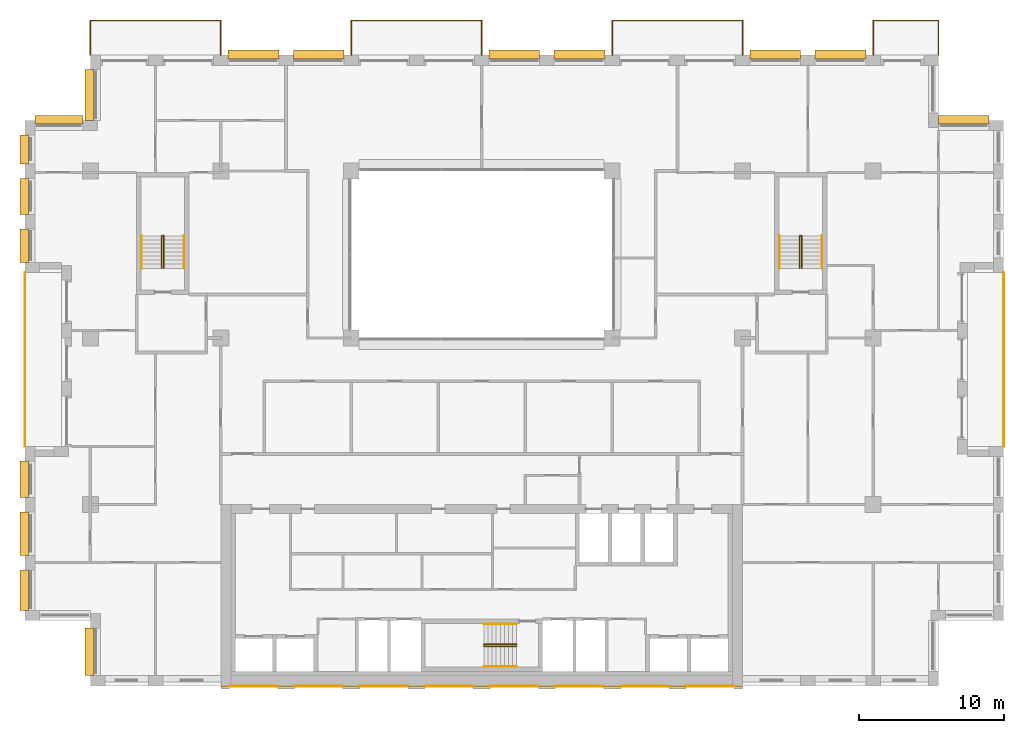
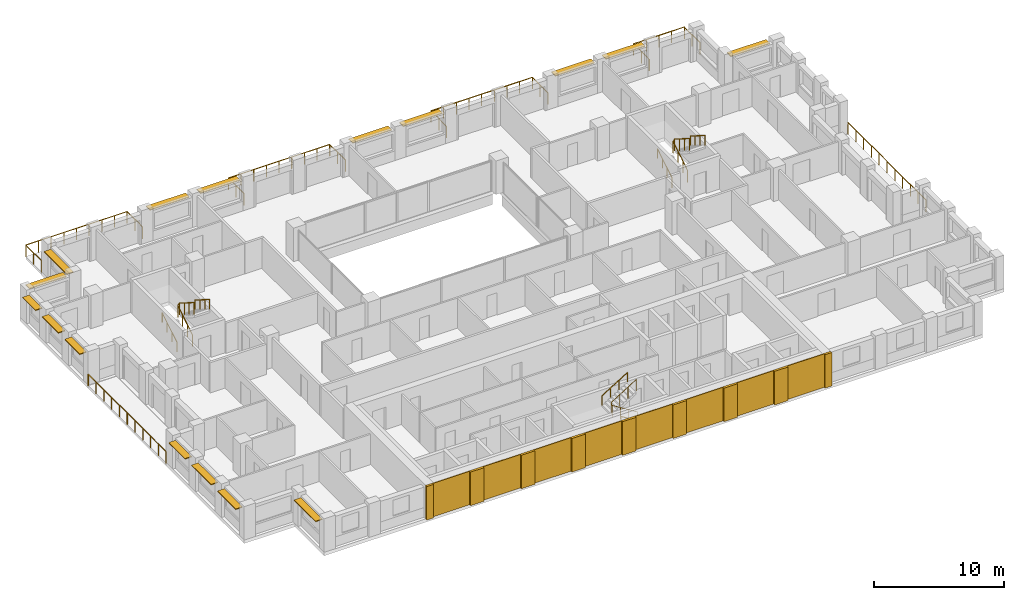
# One storey, part 16 of 16: 17 coverings, 16 shading devices, 15 railings.
"""IFC4 building model written with IfcOpenShell, lengths in metres."""

from ifc_helpers import new_model, si_unit, direction, frame, origin, origin_2d, place, context, subcontext, project, spatial, rectangle, circle, extrude, material, layer, layer_set, type_object, element, save


model = new_model("IFC4")

# Units and contexts
model_context = context("Model", 3, precision=1e-05, world=origin(), true_north=direction((0.0, 1.0)))
body_context = subcontext(model_context, "Body", "Model", "MODEL_VIEW")
ifc_project = project(units=[si_unit("LENGTHUNIT", "METRE"), si_unit("AREAUNIT", "SQUARE_METRE"), si_unit("VOLUMEUNIT", "CUBIC_METRE"), si_unit("PLANEANGLEUNIT", "RADIAN"), si_unit("MASSUNIT", "GRAM", prefix="KILO")], contexts=[model_context])

# Site, building, storey
site_placement = place(None, origin())
site = spatial("IfcSite", under=ifc_project, at=site_placement, CompositionType="ELEMENT")
building_placement = place(site_placement, origin())
building = spatial("IfcBuilding", under=site, at=building_placement, Name="Brigalow Station Residences", CompositionType="ELEMENT")
storey_placement = place(building_placement, frame((0.0, 0.0, 163.35009765625)))
storey = spatial("IfcBuildingStorey", under=building, at=storey_placement, Name="L47", CompositionType="ELEMENT", Elevation=163.35009765625)

# Railings
ifc_material_1 = material(Name="Stainless steel balustrade with laminated glass infill", Category="steel")
railing_type_1 = type_object("IfcRailingType", Name="BALCONY GUARD 1100", PredefinedType="GUARDRAIL", material=ifc_material_1)
railing_1_placement = place(storey_placement, frame((72.0, 16.5, -0.0400390625)))
element("IfcRailing", 1, at=railing_1_placement, inside=storey, type_object=railing_type_1, Name="L47/balcony-guard/1", PredefinedType="GUARDRAIL", context=body_context, shape_type="SweptSolid", body=[
    extrude(circle(Radius=0.02392578125, at=origin_2d()), frame((0.0, 0.0, 1.076171875), z_axis=(0.0, 1.0, 0.0), x_axis=(-1.0, 0.0, 0.0)), (0.0, 0.0, 1.0), 12.0),
    extrude(circle(Radius=0.02099609375, at=origin_2d()), origin(), (0.0, 0.0, 1.0), 1.052001953125),
    extrude(circle(Radius=0.02099609375, at=origin_2d()), frame((0.0, 1.199951171875, 0.0)), (0.0, 0.0, 1.0), 1.052001953125),
    extrude(circle(Radius=0.02099609375, at=origin_2d()), frame((0.0, 2.39990234375, 0.0)), (0.0, 0.0, 1.0), 1.052001953125),
    extrude(circle(Radius=0.02099609375, at=origin_2d()), frame((0.0, 3.60009765625, 0.0)), (0.0, 0.0, 1.0), 1.052001953125),
    extrude(circle(Radius=0.02099609375, at=origin_2d()), frame((0.0, 4.800048828125, 0.0)), (0.0, 0.0, 1.0), 1.052001953125),
    extrude(circle(Radius=0.02099609375, at=origin_2d()), frame((0.0, 6.0, 0.0)), (0.0, 0.0, 1.0), 1.052001953125),
    extrude(circle(Radius=0.02099609375, at=origin_2d()), frame((0.0, 7.199951171875, 0.0)), (0.0, 0.0, 1.0), 1.052001953125),
    extrude(circle(Radius=0.02099609375, at=origin_2d()), frame((0.0, 8.39990234375, 0.0)), (0.0, 0.0, 1.0), 1.052001953125),
    extrude(circle(Radius=0.02099609375, at=origin_2d()), frame((0.0, 9.60009765625, 0.0)), (0.0, 0.0, 1.0), 1.052001953125),
    extrude(circle(Radius=0.02099609375, at=origin_2d()), frame((0.0, 10.800048828125, 0.0)), (0.0, 0.0, 1.0), 1.052001953125),
    extrude(circle(Radius=0.02099609375, at=origin_2d()), frame((0.0, 12.0, 0.0)), (0.0, 0.0, 1.0), 1.052001953125),
])
railing_2_placement = place(storey_placement, frame((67.5, 43.5, -0.0400390625)))
element("IfcRailing", 2, at=railing_2_placement, inside=storey, type_object=railing_type_1, Name="L47/balcony-guard/2", PredefinedType="GUARDRAIL", context=body_context, shape_type="SweptSolid", body=[
    extrude(circle(Radius=0.02392578125, at=origin_2d()), frame((0.0, 0.0, 1.076171875), z_axis=(0.0, 1.0, 0.0), x_axis=(-1.0, 0.0, 0.0)), (0.0, 0.0, 1.0), 2.39990234375),
    extrude(circle(Radius=0.02392578125, at=origin_2d()), frame((0.0, 2.39990234375, 1.076171875), z_axis=(-1.0, 0.0, 0.0), x_axis=(0.0, -1.0, 0.0)), (0.0, 0.0, 1.0), 4.5),
    extrude(circle(Radius=0.02392578125, at=origin_2d()), frame((-4.5, 2.39990234375, 1.076171875), z_axis=(0.0, -1.0, 0.0), x_axis=(1.0, 0.0, 0.0)), (0.0, 0.0, 1.0), 2.39990234375),
    extrude(circle(Radius=0.02099609375, at=origin_2d()), origin(), (0.0, 0.0, 1.0), 1.052001953125),
    extrude(circle(Radius=0.02099609375, at=origin_2d()), frame((0.0, 1.199951171875, 0.0)), (0.0, 0.0, 1.0), 1.052001953125),
    extrude(circle(Radius=0.02099609375, at=origin_2d()), frame((0.0, 2.39990234375, 0.0)), (0.0, 0.0, 1.0), 1.052001953125),
    extrude(circle(Radius=0.02099609375, at=origin_2d()), frame((-1.125, 2.39990234375, 0.0)), (0.0, 0.0, 1.0), 1.052001953125),
    extrude(circle(Radius=0.02099609375, at=origin_2d()), frame((-2.25, 2.39990234375, 0.0)), (0.0, 0.0, 1.0), 1.052001953125),
    extrude(circle(Radius=0.02099609375, at=origin_2d()), frame((-3.375, 2.39990234375, 0.0)), (0.0, 0.0, 1.0), 1.052001953125),
    extrude(circle(Radius=0.02099609375, at=origin_2d()), frame((-4.5, 2.39990234375, 0.0)), (0.0, 0.0, 1.0), 1.052001953125),
    extrude(circle(Radius=0.02099609375, at=origin_2d()), frame((-4.5, 1.199951171875, 0.0)), (0.0, 0.0, 1.0), 1.052001953125),
    extrude(circle(Radius=0.02099609375, at=origin_2d()), frame((-4.5, 0.0, 0.0)), (0.0, 0.0, 1.0), 1.052001953125),
])
railing_3_placement = place(storey_placement, frame((54.0, 43.5, -0.0400390625)))
element("IfcRailing", 3, at=railing_3_placement, inside=storey, type_object=railing_type_1, Name="L47/balcony-guard/3", PredefinedType="GUARDRAIL", context=body_context, shape_type="SweptSolid", body=[
    extrude(circle(Radius=0.02392578125, at=origin_2d()), frame((0.0, 0.0, 1.076171875), z_axis=(0.0, 1.0, 0.0), x_axis=(-1.0, 0.0, 0.0)), (0.0, 0.0, 1.0), 2.39990234375),
    extrude(circle(Radius=0.02392578125, at=origin_2d()), frame((0.0, 2.39990234375, 1.076171875), z_axis=(-1.0, 0.0, 0.0), x_axis=(0.0, -1.0, 0.0)), (0.0, 0.0, 1.0), 9.0),
    extrude(circle(Radius=0.02392578125, at=origin_2d()), frame((-9.0, 2.39990234375, 1.076171875), z_axis=(0.0, -1.0, 0.0), x_axis=(1.0, 0.0, 0.0)), (0.0, 0.0, 1.0), 2.39990234375),
    extrude(circle(Radius=0.02099609375, at=origin_2d()), origin(), (0.0, 0.0, 1.0), 1.052001953125),
    extrude(circle(Radius=0.02099609375, at=origin_2d()), frame((0.0, 1.199951171875, 0.0)), (0.0, 0.0, 1.0), 1.052001953125),
    extrude(circle(Radius=0.02099609375, at=origin_2d()), frame((0.0, 2.39990234375, 0.0)), (0.0, 0.0, 1.0), 1.052001953125),
    extrude(circle(Radius=0.02099609375, at=origin_2d()), frame((-1.125, 2.39990234375, 0.0)), (0.0, 0.0, 1.0), 1.052001953125),
    extrude(circle(Radius=0.02099609375, at=origin_2d()), frame((-2.25, 2.39990234375, 0.0)), (0.0, 0.0, 1.0), 1.052001953125),
    extrude(circle(Radius=0.02099609375, at=origin_2d()), frame((-3.375, 2.39990234375, 0.0)), (0.0, 0.0, 1.0), 1.052001953125),
    extrude(circle(Radius=0.02099609375, at=origin_2d()), frame((-4.5, 2.39990234375, 0.0)), (0.0, 0.0, 1.0), 1.052001953125),
    extrude(circle(Radius=0.02099609375, at=origin_2d()), frame((-5.625, 2.39990234375, 0.0)), (0.0, 0.0, 1.0), 1.052001953125),
    extrude(circle(Radius=0.02099609375, at=origin_2d()), frame((-6.75, 2.39990234375, 0.0)), (0.0, 0.0, 1.0), 1.052001953125),
    extrude(circle(Radius=0.02099609375, at=origin_2d()), frame((-7.875, 2.39990234375, 0.0)), (0.0, 0.0, 1.0), 1.052001953125),
    extrude(circle(Radius=0.02099609375, at=origin_2d()), frame((-9.0, 2.39990234375, 0.0)), (0.0, 0.0, 1.0), 1.052001953125),
    extrude(circle(Radius=0.02099609375, at=origin_2d()), frame((-9.0, 1.199951171875, 0.0)), (0.0, 0.0, 1.0), 1.052001953125),
    extrude(circle(Radius=0.02099609375, at=origin_2d()), frame((-9.0, 0.0, 0.0)), (0.0, 0.0, 1.0), 1.052001953125),
])
railing_4_placement = place(storey_placement, frame((36.0, 43.5, -0.0400390625)))
element("IfcRailing", 4, at=railing_4_placement, inside=storey, type_object=railing_type_1, Name="L47/balcony-guard/4", PredefinedType="GUARDRAIL", context=body_context, shape_type="SweptSolid", body=[
    extrude(circle(Radius=0.02392578125, at=origin_2d()), frame((0.0, 0.0, 1.076171875), z_axis=(0.0, 1.0, 0.0), x_axis=(-1.0, 0.0, 0.0)), (0.0, 0.0, 1.0), 2.39990234375),
    extrude(circle(Radius=0.02392578125, at=origin_2d()), frame((0.0, 2.39990234375, 1.076171875), z_axis=(-1.0, 0.0, 0.0), x_axis=(0.0, -1.0, 0.0)), (0.0, 0.0, 1.0), 9.0),
    extrude(circle(Radius=0.02392578125, at=origin_2d()), frame((-9.0, 2.39990234375, 1.076171875), z_axis=(0.0, -1.0, 0.0), x_axis=(1.0, 0.0, 0.0)), (0.0, 0.0, 1.0), 2.39990234375),
    extrude(circle(Radius=0.02099609375, at=origin_2d()), origin(), (0.0, 0.0, 1.0), 1.052001953125),
    extrude(circle(Radius=0.02099609375, at=origin_2d()), frame((0.0, 1.199951171875, 0.0)), (0.0, 0.0, 1.0), 1.052001953125),
    extrude(circle(Radius=0.02099609375, at=origin_2d()), frame((0.0, 2.39990234375, 0.0)), (0.0, 0.0, 1.0), 1.052001953125),
    extrude(circle(Radius=0.02099609375, at=origin_2d()), frame((-1.125, 2.39990234375, 0.0)), (0.0, 0.0, 1.0), 1.052001953125),
    extrude(circle(Radius=0.02099609375, at=origin_2d()), frame((-2.25, 2.39990234375, 0.0)), (0.0, 0.0, 1.0), 1.052001953125),
    extrude(circle(Radius=0.02099609375, at=origin_2d()), frame((-3.375, 2.39990234375, 0.0)), (0.0, 0.0, 1.0), 1.052001953125),
    extrude(circle(Radius=0.02099609375, at=origin_2d()), frame((-4.5, 2.39990234375, 0.0)), (0.0, 0.0, 1.0), 1.052001953125),
    extrude(circle(Radius=0.02099609375, at=origin_2d()), frame((-5.625, 2.39990234375, 0.0)), (0.0, 0.0, 1.0), 1.052001953125),
    extrude(circle(Radius=0.02099609375, at=origin_2d()), frame((-6.75, 2.39990234375, 0.0)), (0.0, 0.0, 1.0), 1.052001953125),
    extrude(circle(Radius=0.02099609375, at=origin_2d()), frame((-7.875, 2.39990234375, 0.0)), (0.0, 0.0, 1.0), 1.052001953125),
    extrude(circle(Radius=0.02099609375, at=origin_2d()), frame((-9.0, 2.39990234375, 0.0)), (0.0, 0.0, 1.0), 1.052001953125),
    extrude(circle(Radius=0.02099609375, at=origin_2d()), frame((-9.0, 1.199951171875, 0.0)), (0.0, 0.0, 1.0), 1.052001953125),
    extrude(circle(Radius=0.02099609375, at=origin_2d()), frame((-9.0, 0.0, 0.0)), (0.0, 0.0, 1.0), 1.052001953125),
])
railing_5_placement = place(storey_placement, frame((18.0, 43.5, -0.0400390625)))
element("IfcRailing", 5, at=railing_5_placement, inside=storey, type_object=railing_type_1, Name="L47/balcony-guard/5", PredefinedType="GUARDRAIL", context=body_context, shape_type="SweptSolid", body=[
    extrude(circle(Radius=0.02392578125, at=origin_2d()), frame((0.0, 0.0, 1.076171875), z_axis=(0.0, 1.0, 0.0), x_axis=(-1.0, 0.0, 0.0)), (0.0, 0.0, 1.0), 2.39990234375),
    extrude(circle(Radius=0.02392578125, at=origin_2d()), frame((0.0, 2.39990234375, 1.076171875), z_axis=(-1.0, 0.0, 0.0), x_axis=(0.0, -1.0, 0.0)), (0.0, 0.0, 1.0), 9.0),
    extrude(circle(Radius=0.02392578125, at=origin_2d()), frame((-9.0, 2.39990234375, 1.076171875), z_axis=(0.0, -1.0, 0.0), x_axis=(1.0, 0.0, 0.0)), (0.0, 0.0, 1.0), 2.39990234375),
    extrude(circle(Radius=0.02099609375, at=origin_2d()), origin(), (0.0, 0.0, 1.0), 1.052001953125),
    extrude(circle(Radius=0.02099609375, at=origin_2d()), frame((0.0, 1.199951171875, 0.0)), (0.0, 0.0, 1.0), 1.052001953125),
    extrude(circle(Radius=0.02099609375, at=origin_2d()), frame((0.0, 2.39990234375, 0.0)), (0.0, 0.0, 1.0), 1.052001953125),
    extrude(circle(Radius=0.02099609375, at=origin_2d()), frame((-1.125, 2.39990234375, 0.0)), (0.0, 0.0, 1.0), 1.052001953125),
    extrude(circle(Radius=0.02099609375, at=origin_2d()), frame((-2.25, 2.39990234375, 0.0)), (0.0, 0.0, 1.0), 1.052001953125),
    extrude(circle(Radius=0.02099609375, at=origin_2d()), frame((-3.375, 2.39990234375, 0.0)), (0.0, 0.0, 1.0), 1.052001953125),
    extrude(circle(Radius=0.02099609375, at=origin_2d()), frame((-4.5, 2.39990234375, 0.0)), (0.0, 0.0, 1.0), 1.052001953125),
    extrude(circle(Radius=0.02099609375, at=origin_2d()), frame((-5.625, 2.39990234375, 0.0)), (0.0, 0.0, 1.0), 1.052001953125),
    extrude(circle(Radius=0.02099609375, at=origin_2d()), frame((-6.75, 2.39990234375, 0.0)), (0.0, 0.0, 1.0), 1.052001953125),
    extrude(circle(Radius=0.02099609375, at=origin_2d()), frame((-7.875, 2.39990234375, 0.0)), (0.0, 0.0, 1.0), 1.052001953125),
    extrude(circle(Radius=0.02099609375, at=origin_2d()), frame((-9.0, 2.39990234375, 0.0)), (0.0, 0.0, 1.0), 1.052001953125),
    extrude(circle(Radius=0.02099609375, at=origin_2d()), frame((-9.0, 1.199951171875, 0.0)), (0.0, 0.0, 1.0), 1.052001953125),
    extrude(circle(Radius=0.02099609375, at=origin_2d()), frame((-9.0, 0.0, 0.0)), (0.0, 0.0, 1.0), 1.052001953125),
])
railing_6_placement = place(storey_placement, frame((4.5, 28.5, -0.0400390625)))
element("IfcRailing", 6, at=railing_6_placement, inside=storey, type_object=railing_type_1, Name="L47/balcony-guard/6", PredefinedType="GUARDRAIL", context=body_context, shape_type="SweptSolid", body=[
    extrude(circle(Radius=0.02392578125, at=origin_2d()), frame((0.0, 0.0, 1.076171875), z_axis=(0.0, -1.0, 0.0), x_axis=(1.0, 0.0, 0.0)), (0.0, 0.0, 1.0), 12.0),
    extrude(circle(Radius=0.02099609375, at=origin_2d()), origin(), (0.0, 0.0, 1.0), 1.052001953125),
    extrude(circle(Radius=0.02099609375, at=origin_2d()), frame((0.0, -1.199951171875, 0.0)), (0.0, 0.0, 1.0), 1.052001953125),
    extrude(circle(Radius=0.02099609375, at=origin_2d()), frame((0.0, -2.39990234375, 0.0)), (0.0, 0.0, 1.0), 1.052001953125),
    extrude(circle(Radius=0.02099609375, at=origin_2d()), frame((0.0, -3.60009765625, 0.0)), (0.0, 0.0, 1.0), 1.052001953125),
    extrude(circle(Radius=0.02099609375, at=origin_2d()), frame((0.0, -4.800048828125, 0.0)), (0.0, 0.0, 1.0), 1.052001953125),
    extrude(circle(Radius=0.02099609375, at=origin_2d()), frame((0.0, -6.0, 0.0)), (0.0, 0.0, 1.0), 1.052001953125),
    extrude(circle(Radius=0.02099609375, at=origin_2d()), frame((0.0, -7.199951171875, 0.0)), (0.0, 0.0, 1.0), 1.052001953125),
    extrude(circle(Radius=0.02099609375, at=origin_2d()), frame((0.0, -8.39990234375, 0.0)), (0.0, 0.0, 1.0), 1.052001953125),
    extrude(circle(Radius=0.02099609375, at=origin_2d()), frame((0.0, -9.60009765625, 0.0)), (0.0, 0.0, 1.0), 1.052001953125),
    extrude(circle(Radius=0.02099609375, at=origin_2d()), frame((0.0, -10.800048828125, 0.0)), (0.0, 0.0, 1.0), 1.052001953125),
    extrude(circle(Radius=0.02099609375, at=origin_2d()), frame((0.0, -12.0, 0.0)), (0.0, 0.0, 1.0), 1.052001953125),
])

# Coverings
ifc_material_2 = material(Name="Clay brick masonry", Category="masonry")
ifc_layer_1 = layer(ifc_material_2, 0.06005859375)
ifc_layer_set_1 = layer_set([ifc_layer_1], Name="BRICK PANEL FACING 60")
covering_type_1 = type_object("IfcCoveringType", Name="BRICK PANEL FACING 60", PredefinedType="CLADDING", material=ifc_layer_set_1)
for number, where, z_axis, x_axis, name in (
    (7, (20.25, -0.030029296875, 0.0), (0.0, 0.0, 1.0), (1.0, 0.0, 0.0), "L47/rear-facing/panel-1"),
    (8, (24.75, -0.030029296875, 0.0), (0.0, 0.0, 1.0), (1.0, 0.0, 0.0), "L47/rear-facing/panel-2"),
    (9, (29.25, -0.030029296875, 0.0), (0.0, 0.0, 1.0), (1.0, 0.0, 0.0), "L47/rear-facing/panel-3"),
    (10, (33.75, -0.030029296875, 0.0), (0.0, 0.0, 1.0), (1.0, 0.0, 0.0), "L47/rear-facing/panel-4"),
    (11, (38.25, -0.030029296875, 0.0), (0.0, 0.0, 1.0), (1.0, 0.0, 0.0), "L47/rear-facing/panel-5"),
    (12, (42.75, -0.030029296875, 0.0), (0.0, 0.0, 1.0), (1.0, 0.0, 0.0), "L47/rear-facing/panel-6"),
    (13, (47.25, -0.030029296875, 0.0), (0.0, 0.0, 1.0), (1.0, 0.0, 0.0), "L47/rear-facing/panel-7"),
    (14, (51.75, -0.030029296875, 0.0), (0.0, 0.0, 1.0), (1.0, 0.0, 0.0), "L47/rear-facing/panel-8"),
):
    element("IfcCovering", number, at=place(storey_placement, frame(where, z_axis=z_axis, x_axis=x_axis)), inside=storey, type_object=covering_type_1, Name=name, PredefinedType="CLADDING", context=body_context, shape_type="SweptSolid", body=[
        extrude(rectangle(XDim=3.300048828125, YDim=0.06005859375, at=origin_2d()), origin(), (0.0, 0.0, 1.0), 3.14990234375),
    ])
ifc_material_3 = material(Name="Clay brick masonry", Category="masonry")
ifc_layer_2 = layer(ifc_material_3, 0.199951171875)
ifc_layer_set_2 = layer_set([ifc_layer_2], Name="BRICK PIER FACING 200")
covering_type_2 = type_object("IfcCoveringType", Name="BRICK PIER FACING 200", PredefinedType="CLADDING", material=ifc_layer_set_2)
covering_1_placement = place(storey_placement, frame((18.300048828125, -0.10009765625, 0.0), z_axis=(0.0, 0.0, 1.0), x_axis=(1.0, 0.0, 0.0)))
element("IfcCovering", 15, at=covering_1_placement, inside=storey, type_object=covering_type_2, Name="L47/rear-facing/pier-1", PredefinedType="CLADDING", context=body_context, shape_type="SweptSolid", body=[
    extrude(rectangle(XDim=0.60009765625, YDim=0.199951171875, at=origin_2d()), origin(), (0.0, 0.0, 1.0), 3.14990234375),
])
for number, where, z_axis, x_axis, name in (
    (16, (22.5, -0.10009765625, 0.0), (0.0, 0.0, 1.0), (1.0, 0.0, 0.0), "L47/rear-facing/pier-2"),
    (17, (27.0, -0.10009765625, 0.0), (0.0, 0.0, 1.0), (1.0, 0.0, 0.0), "L47/rear-facing/pier-3"),
    (18, (31.5, -0.10009765625, 0.0), (0.0, 0.0, 1.0), (1.0, 0.0, 0.0), "L47/rear-facing/pier-4"),
    (19, (36.0, -0.10009765625, 0.0), (0.0, 0.0, 1.0), (1.0, 0.0, 0.0), "L47/rear-facing/pier-5"),
    (20, (40.5, -0.10009765625, 0.0), (0.0, 0.0, 1.0), (1.0, 0.0, 0.0), "L47/rear-facing/pier-6"),
    (21, (45.0, -0.10009765625, 0.0), (0.0, 0.0, 1.0), (1.0, 0.0, 0.0), "L47/rear-facing/pier-7"),
    (22, (49.5, -0.10009765625, 0.0), (0.0, 0.0, 1.0), (1.0, 0.0, 0.0), "L47/rear-facing/pier-8"),
):
    element("IfcCovering", number, at=place(storey_placement, frame(where, z_axis=z_axis, x_axis=x_axis)), inside=storey, type_object=covering_type_2, Name=name, PredefinedType="CLADDING", context=body_context, shape_type="SweptSolid", body=[
        extrude(rectangle(XDim=1.199951171875, YDim=0.199951171875, at=origin_2d()), origin(), (0.0, 0.0, 1.0), 3.14990234375),
    ])
covering_2_placement = place(storey_placement, frame((53.699951171875, -0.10009765625, 0.0), z_axis=(0.0, 0.0, 1.0), x_axis=(1.0, 0.0, 0.0)))
element("IfcCovering", 23, at=covering_2_placement, inside=storey, type_object=covering_type_2, Name="L47/rear-facing/pier-9", PredefinedType="CLADDING", context=body_context, shape_type="SweptSolid", body=[
    extrude(rectangle(XDim=0.60009765625, YDim=0.199951171875, at=origin_2d()), origin(), (0.0, 0.0, 1.0), 3.14990234375),
])

# Railings
ifc_material_4 = material(Name="Stainless steel balustrade", Category="steel")
railing_type_2 = type_object("IfcRailingType", Name="STAIR GUARD 1100", PredefinedType="GUARDRAIL", material=ifc_material_4)
railing_7_placement = place(storey_placement, frame((38.39990234375, 2.72998046875, 0.1748046875)))
element("IfcRailing", 24, at=railing_7_placement, inside=storey, type_object=railing_type_2, Name="GUARD GR-2", PredefinedType="GUARDRAIL", context=body_context, shape_type="SweptSolid", body=[
    extrude(circle(Radius=0.02392578125, at=origin_2d()), frame((0.0, 0.0, 1.076171875), z_axis=(-0.847972341737, 0.0, 0.530040477369), x_axis=(0.0, -1.0, 0.0)), (0.0, 0.0, 1.0), 2.6416015625),
    extrude(circle(Radius=0.02392578125, at=origin_2d()), frame((-2.239990234375, 0.0, 2.47607421875), z_axis=(0.0, 0.624960567888, 0.780656319122), x_axis=(-1.0, 0.0, 0.0)), (0.0, 0.0, 1.0), 0.22412109375),
    extrude(circle(Radius=0.02392578125, at=origin_2d()), frame((-2.239990234375, 0.14013671875, 2.6513671875), z_axis=(0.848013881152, 0.0, 0.529974015752), x_axis=(0.0, 1.0, 0.0)), (0.0, 0.0, 1.0), 2.641357421875),
    extrude(circle(Radius=0.02099609375, at=origin_2d()), origin(), (0.0, 0.0, 1.0), 1.052001953125),
    extrude(circle(Radius=0.02099609375, at=origin_2d()), frame((-0.74658203125, 0.0, 0.466796875)), (0.0, 0.0, 1.0), 1.052001953125),
    extrude(circle(Radius=0.02099609375, at=origin_2d()), frame((-1.493408203125, 0.0, 0.933349609375)), (0.0, 0.0, 1.0), 1.052001953125),
    extrude(circle(Radius=0.02099609375, at=origin_2d()), frame((-2.239990234375, 0.0, 1.400146484375)), (0.0, 0.0, 1.0), 1.052001953125),
    extrude(circle(Radius=0.02099609375, at=origin_2d()), frame((-2.239990234375, 0.14013671875, 1.5751953125)), (0.0, 0.0, 1.0), 1.052001953125),
    extrude(circle(Radius=0.02099609375, at=origin_2d()), frame((-1.493408203125, 0.14013671875, 2.041748046875)), (0.0, 0.0, 1.0), 1.052001953125),
    extrude(circle(Radius=0.02099609375, at=origin_2d()), frame((-0.74658203125, 0.14013671875, 2.508544921875)), (0.0, 0.0, 1.0), 1.052001953125),
    extrude(circle(Radius=0.02099609375, at=origin_2d()), frame((0.0, 0.14013671875, 2.97509765625)), (0.0, 0.0, 1.0), 1.052001953125),
])
for number, where, name in (
    (25, (13.929931640625, 28.800048828125, 0.1748046875), "GUARD GR-1"),
    (26, (57.929931640625, 28.800048828125, 0.1748046875), "GUARD GR-3"),
):
    element("IfcRailing", number, at=place(storey_placement, frame(where)), inside=storey, type_object=railing_type_2, Name=name, PredefinedType="GUARDRAIL", context=body_context, shape_type="SweptSolid", body=[
        extrude(circle(Radius=0.02392578125, at=origin_2d()), frame((0.0, 0.0, 1.076171875), z_axis=(0.0, 0.847972341737, 0.530040477369), x_axis=(-1.0, 0.0, 0.0)), (0.0, 0.0, 1.0), 2.6416015625),
        extrude(circle(Radius=0.02392578125, at=origin_2d()), frame((0.0, 2.239990234375, 2.47607421875), z_axis=(0.624960567888, 0.0, 0.780656319122), x_axis=(0.0, 1.0, 0.0)), (0.0, 0.0, 1.0), 0.22412109375),
        extrude(circle(Radius=0.02392578125, at=origin_2d()), frame((0.14013671875, 2.239990234375, 2.6513671875), z_axis=(0.0, -0.848013881152, 0.529974015752), x_axis=(1.0, 0.0, 0.0)), (0.0, 0.0, 1.0), 2.641357421875),
        extrude(circle(Radius=0.02099609375, at=origin_2d()), origin(), (0.0, 0.0, 1.0), 1.052001953125),
        extrude(circle(Radius=0.02099609375, at=origin_2d()), frame((0.0, 0.74658203125, 0.466796875)), (0.0, 0.0, 1.0), 1.052001953125),
        extrude(circle(Radius=0.02099609375, at=origin_2d()), frame((0.0, 1.493408203125, 0.933349609375)), (0.0, 0.0, 1.0), 1.052001953125),
        extrude(circle(Radius=0.02099609375, at=origin_2d()), frame((0.0, 2.239990234375, 1.400146484375)), (0.0, 0.0, 1.0), 1.052001953125),
        extrude(circle(Radius=0.02099609375, at=origin_2d()), frame((0.14013671875, 2.239990234375, 1.5751953125)), (0.0, 0.0, 1.0), 1.052001953125),
        extrude(circle(Radius=0.02099609375, at=origin_2d()), frame((0.14013671875, 1.493408203125, 2.041748046875)), (0.0, 0.0, 1.0), 1.052001953125),
        extrude(circle(Radius=0.02099609375, at=origin_2d()), frame((0.14013671875, 0.74658203125, 2.508544921875)), (0.0, 0.0, 1.0), 1.052001953125),
        extrude(circle(Radius=0.02099609375, at=origin_2d()), frame((0.14013671875, 0.0, 2.97509765625)), (0.0, 0.0, 1.0), 1.052001953125),
    ])
ifc_material_5 = material(Name="Stainless steel handrail", Category="steel")
railing_type_3 = type_object("IfcRailingType", Name="STAIR HANDRAIL 900", PredefinedType="HANDRAIL", material=ifc_material_5)
railing_8_placement = place(storey_placement, frame((38.39990234375, 1.340087890625, 0.1748046875)))
element("IfcRailing", 27, at=railing_8_placement, inside=storey, type_object=railing_type_3, Name="HANDRAIL HR-21", PredefinedType="HANDRAIL", context=body_context, shape_type="SweptSolid", body=[
    extrude(circle(Radius=0.02392578125, at=origin_2d()), frame((0.0, 0.0, 0.8759765625), z_axis=(-0.847972341737, 0.0, 0.530040477369), x_axis=(0.0, -1.0, 0.0)), (0.0, 0.0, 1.0), 2.6416015625),
    extrude(circle(Radius=0.02099609375, at=origin_2d()), origin(), (0.0, 0.0, 1.0), 0.851806640625),
    extrude(circle(Radius=0.02099609375, at=origin_2d()), frame((-0.74658203125, 0.0, 0.466796875)), (0.0, 0.0, 1.0), 0.851806640625),
    extrude(circle(Radius=0.02099609375, at=origin_2d()), frame((-1.493408203125, 0.0, 0.933349609375)), (0.0, 0.0, 1.0), 0.851806640625),
    extrude(circle(Radius=0.02099609375, at=origin_2d()), frame((-2.239990234375, 0.0, 1.400146484375)), (0.0, 0.0, 1.0), 0.851806640625),
])
railing_9_placement = place(storey_placement, frame((36.159912109375, 4.260009765625, 1.75)))
element("IfcRailing", 28, at=railing_9_placement, inside=storey, type_object=railing_type_3, Name="HANDRAIL HR-22", PredefinedType="HANDRAIL", context=body_context, shape_type="SweptSolid", body=[
    extrude(circle(Radius=0.02392578125, at=origin_2d()), frame((0.0, 0.0, 0.8759765625), z_axis=(0.848013881152, 0.0, 0.529974015752), x_axis=(0.0, 1.0, 0.0)), (0.0, 0.0, 1.0), 2.641357421875),
    extrude(circle(Radius=0.02099609375, at=origin_2d()), origin(), (0.0, 0.0, 1.0), 0.851806640625),
    extrude(circle(Radius=0.02099609375, at=origin_2d()), frame((0.74658203125, 0.0, 0.466552734375)), (0.0, 0.0, 1.0), 0.851806640625),
    extrude(circle(Radius=0.02099609375, at=origin_2d()), frame((1.493408203125, 0.0, 0.933349609375)), (0.0, 0.0, 1.0), 0.851806640625),
    extrude(circle(Radius=0.02099609375, at=origin_2d()), frame((2.239990234375, 0.0, 1.39990234375)), (0.0, 0.0, 1.0), 0.851806640625),
])
railing_10_placement = place(storey_placement, frame((12.5400390625, 28.800048828125, 0.1748046875)))
element("IfcRailing", 29, at=railing_10_placement, inside=storey, type_object=railing_type_3, Name="HANDRAIL HR-11", PredefinedType="HANDRAIL", context=body_context, shape_type="SweptSolid", body=[
    extrude(circle(Radius=0.02392578125, at=origin_2d()), frame((0.0, 0.0, 0.8759765625), z_axis=(0.0, 0.847972341737, 0.530040477369), x_axis=(-1.0, 0.0, 0.0)), (0.0, 0.0, 1.0), 2.6416015625),
    extrude(circle(Radius=0.02099609375, at=origin_2d()), origin(), (0.0, 0.0, 1.0), 0.851806640625),
    extrude(circle(Radius=0.02099609375, at=origin_2d()), frame((0.0, 0.74658203125, 0.466796875)), (0.0, 0.0, 1.0), 0.851806640625),
    extrude(circle(Radius=0.02099609375, at=origin_2d()), frame((0.0, 1.493408203125, 0.933349609375)), (0.0, 0.0, 1.0), 0.851806640625),
    extrude(circle(Radius=0.02099609375, at=origin_2d()), frame((0.0, 2.239990234375, 1.400146484375)), (0.0, 0.0, 1.0), 0.851806640625),
])
railing_11_placement = place(storey_placement, frame((15.4599609375, 31.0400390625, 1.75)))
element("IfcRailing", 30, at=railing_11_placement, inside=storey, type_object=railing_type_3, Name="HANDRAIL HR-12", PredefinedType="HANDRAIL", context=body_context, shape_type="SweptSolid", body=[
    extrude(circle(Radius=0.02392578125, at=origin_2d()), frame((0.0, 0.0, 0.8759765625), z_axis=(0.0, -0.848013881152, 0.529974015752), x_axis=(1.0, 0.0, 0.0)), (0.0, 0.0, 1.0), 2.641357421875),
    extrude(circle(Radius=0.02099609375, at=origin_2d()), origin(), (0.0, 0.0, 1.0), 0.851806640625),
    extrude(circle(Radius=0.02099609375, at=origin_2d()), frame((0.0, -0.74658203125, 0.466552734375)), (0.0, 0.0, 1.0), 0.851806640625),
    extrude(circle(Radius=0.02099609375, at=origin_2d()), frame((0.0, -1.493408203125, 0.933349609375)), (0.0, 0.0, 1.0), 0.851806640625),
    extrude(circle(Radius=0.02099609375, at=origin_2d()), frame((0.0, -2.239990234375, 1.39990234375)), (0.0, 0.0, 1.0), 0.851806640625),
])
railing_12_placement = place(storey_placement, frame((56.5400390625, 28.800048828125, 0.1748046875)))
element("IfcRailing", 31, at=railing_12_placement, inside=storey, type_object=railing_type_3, Name="HANDRAIL HR-31", PredefinedType="HANDRAIL", context=body_context, shape_type="SweptSolid", body=[
    extrude(circle(Radius=0.02392578125, at=origin_2d()), frame((0.0, 0.0, 0.8759765625), z_axis=(0.0, 0.847972341737, 0.530040477369), x_axis=(-1.0, 0.0, 0.0)), (0.0, 0.0, 1.0), 2.6416015625),
    extrude(circle(Radius=0.02099609375, at=origin_2d()), origin(), (0.0, 0.0, 1.0), 0.851806640625),
    extrude(circle(Radius=0.02099609375, at=origin_2d()), frame((0.0, 0.74658203125, 0.466796875)), (0.0, 0.0, 1.0), 0.851806640625),
    extrude(circle(Radius=0.02099609375, at=origin_2d()), frame((0.0, 1.493408203125, 0.933349609375)), (0.0, 0.0, 1.0), 0.851806640625),
    extrude(circle(Radius=0.02099609375, at=origin_2d()), frame((0.0, 2.239990234375, 1.400146484375)), (0.0, 0.0, 1.0), 0.851806640625),
])
railing_13_placement = place(storey_placement, frame((59.4599609375, 31.0400390625, 1.75)))
element("IfcRailing", 32, at=railing_13_placement, inside=storey, type_object=railing_type_3, Name="HANDRAIL HR-32", PredefinedType="HANDRAIL", context=body_context, shape_type="SweptSolid", body=[
    extrude(circle(Radius=0.02392578125, at=origin_2d()), frame((0.0, 0.0, 0.8759765625), z_axis=(0.0, -0.848013881152, 0.529974015752), x_axis=(1.0, 0.0, 0.0)), (0.0, 0.0, 1.0), 2.641357421875),
    extrude(circle(Radius=0.02099609375, at=origin_2d()), origin(), (0.0, 0.0, 1.0), 0.851806640625),
    extrude(circle(Radius=0.02099609375, at=origin_2d()), frame((0.0, -0.74658203125, 0.466552734375)), (0.0, 0.0, 1.0), 0.851806640625),
    extrude(circle(Radius=0.02099609375, at=origin_2d()), frame((0.0, -1.493408203125, 0.933349609375)), (0.0, 0.0, 1.0), 0.851806640625),
    extrude(circle(Radius=0.02099609375, at=origin_2d()), frame((0.0, -2.239990234375, 1.39990234375)), (0.0, 0.0, 1.0), 0.851806640625),
])

# Shading devices
ifc_material_6 = material(Name="Powder-coated extruded aluminium blade", Category="aluminium")
ifc_layer_3 = layer(ifc_material_6, 0.080078125)
ifc_layer_set_3 = layer_set([ifc_layer_3], Name="SUNSHADE BLADE 600x80")
shading_device_type = type_object("IfcShadingDeviceType", Name="SUNSHADE BLADE 600x80", PredefinedType="JALOUSIE", material=ifc_layer_set_3)
for number, where, z_axis, x_axis, name in (
    (33, (69.25, 39.050048828125, 2.5498046875), (0.0, 0.0, 1.0), (-1.0, 0.0, 0.0), "L47/blade/W-L47-20"),
    (34, (60.75, 43.550048828125, 2.5498046875), (0.0, 0.0, 1.0), (-1.0, 0.0, 0.0), "L47/blade/W-L47-23"),
    (35, (56.25, 43.550048828125, 2.5498046875), (0.0, 0.0, 1.0), (-1.0, 0.0, 0.0), "L47/blade/W-L47-24"),
    (36, (42.75, 43.550048828125, 2.5498046875), (0.0, 0.0, 1.0), (-1.0, 0.0, 0.0), "L47/blade/W-L47-27"),
    (37, (38.25, 43.550048828125, 2.5498046875), (0.0, 0.0, 1.0), (-1.0, 0.0, 0.0), "L47/blade/W-L47-28"),
    (38, (24.75, 43.550048828125, 2.5498046875), (0.0, 0.0, 1.0), (-1.0, 0.0, 0.0), "L47/blade/W-L47-31"),
    (39, (20.25, 43.550048828125, 2.5498046875), (0.0, 0.0, 1.0), (-1.0, 0.0, 0.0), "L47/blade/W-L47-32"),
    (40, (8.949951171875, 40.75, 2.5498046875), (0.0, 0.0, 1.0), (0.0, -1.0, 0.0), "L47/blade/W-L47-35"),
):
    element("IfcShadingDevice", number, at=place(storey_placement, frame(where, z_axis=z_axis, x_axis=x_axis)), inside=storey, type_object=shading_device_type, Name=name, PredefinedType="JALOUSIE", context=body_context, shape_type="SweptSolid", body=[
        extrude(rectangle(XDim=3.5, YDim=0.60009765625, at=origin_2d()), origin(), (0.0, 0.0, 1.0), 0.080078125),
    ])
shading_device_1_placement = place(storey_placement, frame((6.85009765625, 39.050048828125, 2.5498046875), z_axis=(0.0, 0.0, 1.0), x_axis=(-1.0, 0.0, 0.0)))
element("IfcShadingDevice", 41, at=shading_device_1_placement, inside=storey, type_object=shading_device_type, Name="L47/blade/W-L47-36", PredefinedType="JALOUSIE", context=body_context, shape_type="SweptSolid", body=[
    extrude(rectangle(XDim=3.300048828125, YDim=0.60009765625, at=origin_2d()), origin(), (0.0, 0.0, 1.0), 0.080078125),
])
shading_device_2_placement = place(storey_placement, frame((4.449951171875, 37.0, 2.5498046875), z_axis=(0.0, 0.0, 1.0), x_axis=(0.0, -1.0, 0.0)))
element("IfcShadingDevice", 42, at=shading_device_2_placement, inside=storey, type_object=shading_device_type, Name="L47/blade/W-L47-37", PredefinedType="JALOUSIE", context=body_context, shape_type="SweptSolid", body=[
    extrude(rectangle(XDim=2.0, YDim=0.60009765625, at=origin_2d()), origin(), (0.0, 0.0, 1.0), 0.080078125),
])
shading_device_3_placement = place(storey_placement, frame((4.449951171875, 33.75, 2.5498046875), z_axis=(0.0, 0.0, 1.0), x_axis=(0.0, -1.0, 0.0)))
element("IfcShadingDevice", 43, at=shading_device_3_placement, inside=storey, type_object=shading_device_type, Name="L47/blade/W-L47-38", PredefinedType="JALOUSIE", context=body_context, shape_type="SweptSolid", body=[
    extrude(rectangle(XDim=2.5, YDim=0.60009765625, at=origin_2d()), origin(), (0.0, 0.0, 1.0), 0.080078125),
])
shading_device_4_placement = place(storey_placement, frame((4.449951171875, 30.35009765625, 2.5498046875), z_axis=(0.0, 0.0, 1.0), x_axis=(0.0, -1.0, 0.0)))
element("IfcShadingDevice", 44, at=shading_device_4_placement, inside=storey, type_object=shading_device_type, Name="L47/blade/W-L47-39", PredefinedType="JALOUSIE", context=body_context, shape_type="SweptSolid", body=[
    extrude(rectangle(XDim=2.300048828125, YDim=0.60009765625, at=origin_2d()), origin(), (0.0, 0.0, 1.0), 0.080078125),
])
shading_device_5_placement = place(storey_placement, frame((4.449951171875, 14.25, 2.5498046875), z_axis=(0.0, 0.0, 1.0), x_axis=(0.0, -1.0, 0.0)))
element("IfcShadingDevice", 45, at=shading_device_5_placement, inside=storey, type_object=shading_device_type, Name="L47/blade/W-L47-45", PredefinedType="JALOUSIE", context=body_context, shape_type="SweptSolid", body=[
    extrude(rectangle(XDim=2.5, YDim=0.60009765625, at=origin_2d()), origin(), (0.0, 0.0, 1.0), 0.080078125),
])
shading_device_6_placement = place(storey_placement, frame((4.449951171875, 10.5, 2.5498046875), z_axis=(0.0, 0.0, 1.0), x_axis=(0.0, -1.0, 0.0)))
element("IfcShadingDevice", 46, at=shading_device_6_placement, inside=storey, type_object=shading_device_type, Name="L47/blade/W-L47-46", PredefinedType="JALOUSIE", context=body_context, shape_type="SweptSolid", body=[
    extrude(rectangle(XDim=3.0, YDim=0.60009765625, at=origin_2d()), origin(), (0.0, 0.0, 1.0), 0.080078125),
])
shading_device_7_placement = place(storey_placement, frame((4.449951171875, 6.60009765625, 2.5498046875), z_axis=(0.0, 0.0, 1.0), x_axis=(0.0, -1.0, 0.0)))
element("IfcShadingDevice", 47, at=shading_device_7_placement, inside=storey, type_object=shading_device_type, Name="L47/blade/W-L47-47", PredefinedType="JALOUSIE", context=body_context, shape_type="SweptSolid", body=[
    extrude(rectangle(XDim=2.800048828125, YDim=0.60009765625, at=origin_2d()), origin(), (0.0, 0.0, 1.0), 0.080078125),
])
shading_device_8_placement = place(storey_placement, frame((8.949951171875, 2.35009765625, 2.5498046875), z_axis=(0.0, 0.0, 1.0), x_axis=(0.0, -1.0, 0.0)))
element("IfcShadingDevice", 48, at=shading_device_8_placement, inside=storey, type_object=shading_device_type, Name="L47/blade/W-L47-49", PredefinedType="JALOUSIE", context=body_context, shape_type="SweptSolid", body=[
    extrude(rectangle(XDim=3.300048828125, YDim=0.60009765625, at=origin_2d()), origin(), (0.0, 0.0, 1.0), 0.080078125),
])

save(model, "model.ifc")
